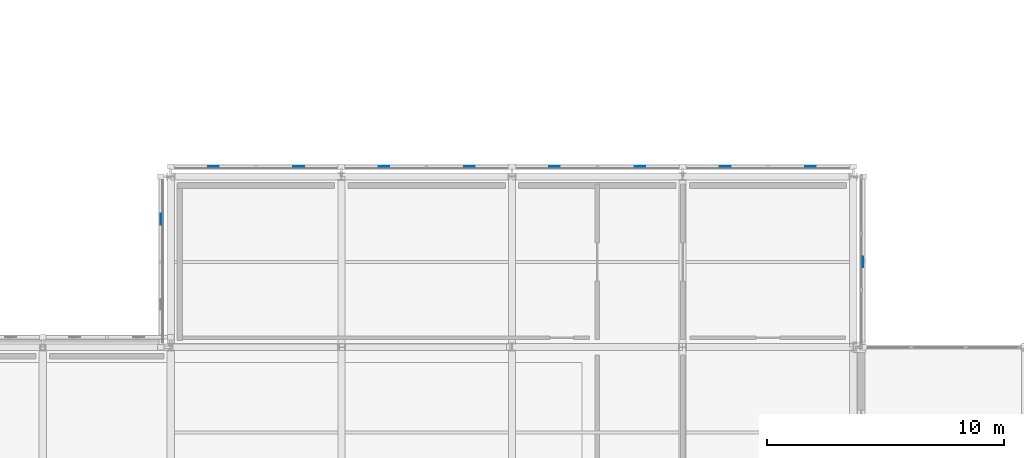
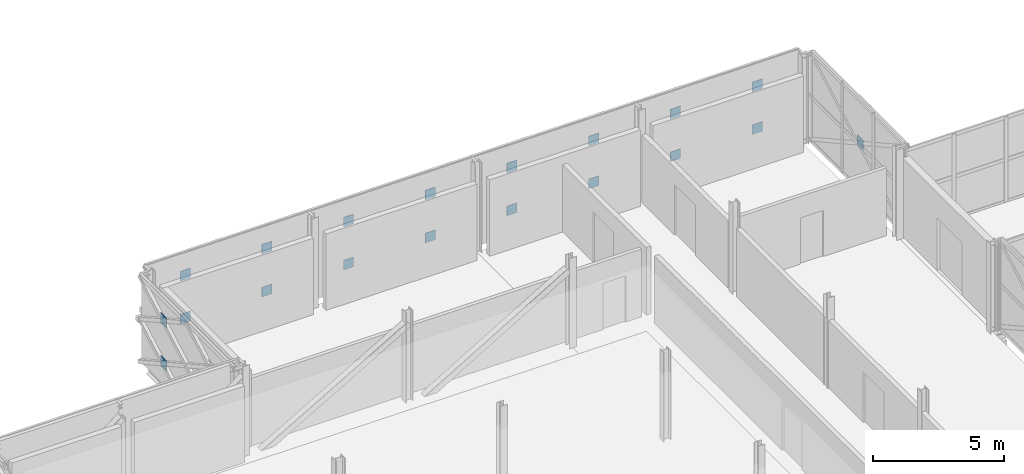
# One storey, part 92 of 126: 19 plates.
"""IFC4 building model written with IfcOpenShell, lengths in metres."""

from ifc_helpers import new_model, si_unit, direction, frame, origin, origin_2d, place, context, subcontext, project, spatial, rectangle, extrude, material, layer, layer_set, type_object, element, save


model = new_model("IFC4")

# Units and contexts
model_context = context("Model", 3, precision=1e-05, world=origin(), true_north=direction((0.0, 1.0)))
body_context = subcontext(model_context, "Body", "Model", "MODEL_VIEW")
ifc_project = project(units=[si_unit("LENGTHUNIT", "METRE"), si_unit("AREAUNIT", "SQUARE_METRE"), si_unit("VOLUMEUNIT", "CUBIC_METRE"), si_unit("PLANEANGLEUNIT", "RADIAN"), si_unit("MASSUNIT", "GRAM", prefix="KILO")], contexts=[model_context])

# Site, building, storey
site_placement = place(None, origin())
site = spatial("IfcSite", under=ifc_project, at=site_placement, CompositionType="ELEMENT")
building_placement = place(site_placement, origin())
building = spatial("IfcBuilding", under=site, at=building_placement, Name="Zlatovets Crest Museum", CompositionType="ELEMENT")
storey_placement = place(building_placement, frame((0.0, 0.0, 8.699951171875)))
storey = spatial("IfcBuildingStorey", under=building, at=storey_placement, Name="L02", CompositionType="ELEMENT", Elevation=8.699951171875)

# Plates
ifc_material = material(Name="Structural steel S355J2", Category="steel")
ifc_layer = layer(ifc_material, 0.02001953125)
ifc_layer_set = layer_set([ifc_layer], Name="Structural steel S355J2")
plate_type = type_object("IfcPlateType", Name="Gusset_GP-04", PredefinedType="USERDEFINED", material=ifc_layer_set)
plate_placement = place(storey_placement, frame((36.419921875, 97.199951171875, 1.875), z_axis=(0.0, 0.0, 1.0), x_axis=(1.0, 0.0, 0.0)))
element("IfcPlate", 1, at=plate_placement, inside=storey, type_object=plate_type, Name="X-Brace Crossing Node Gusset Plate GP-04", ObjectType="GUSSET", PredefinedType="USERDEFINED", context=body_context, shape_type="SweptSolid", body=[
    extrude(rectangle(XDim=0.02001953125, YDim=0.449951171875, at=origin_2d()), origin(), (0.0, 0.0, 1.0), 0.449951171875),
])
for number, where, z_axis, x_axis, name in (
    (2, (12.60009765625, 101.219970703125, 0.875), (0.0, 0.0, 1.0), (1.0, 0.0, 0.0), "X-Brace Crossing Node Gusset Plate GP-04"),
    (3, (9.0, 101.219970703125, 0.875), (0.0, 0.0, 1.0), (1.0, 0.0, 0.0), "X-Brace Crossing Node Gusset Plate GP-04"),
    (4, (12.60009765625, 101.219970703125, 2.875), (0.0, 0.0, 1.0), (1.0, 0.0, 0.0), "X-Brace Crossing Node Gusset Plate GP-04"),
    (5, (9.0, 101.219970703125, 2.875), (0.0, 0.0, 1.0), (1.0, 0.0, 0.0), "X-Brace Crossing Node Gusset Plate GP-04"),
    (6, (19.800048828125, 101.219970703125, 0.875), (0.0, 0.0, 1.0), (1.0, 0.0, 0.0), "X-Brace Crossing Node Gusset Plate GP-04"),
    (7, (16.199951171875, 101.219970703125, 0.875), (0.0, 0.0, 1.0), (1.0, 0.0, 0.0), "X-Brace Crossing Node Gusset Plate GP-04"),
    (8, (19.800048828125, 101.219970703125, 2.875), (0.0, 0.0, 1.0), (1.0, 0.0, 0.0), "X-Brace Crossing Node Gusset Plate GP-04"),
    (9, (16.199951171875, 101.219970703125, 2.875), (0.0, 0.0, 1.0), (1.0, 0.0, 0.0), "X-Brace Crossing Node Gusset Plate GP-04"),
    (10, (27.0, 101.219970703125, 0.875), (0.0, 0.0, 1.0), (1.0, 0.0, 0.0), "X-Brace Crossing Node Gusset Plate GP-04"),
    (11, (23.39990234375, 101.219970703125, 0.875), (0.0, 0.0, 1.0), (1.0, 0.0, 0.0), "X-Brace Crossing Node Gusset Plate GP-04"),
    (12, (27.0, 101.219970703125, 2.875), (0.0, 0.0, 1.0), (1.0, 0.0, 0.0), "X-Brace Crossing Node Gusset Plate GP-04"),
    (13, (23.39990234375, 101.219970703125, 2.875), (0.0, 0.0, 1.0), (1.0, 0.0, 0.0), "X-Brace Crossing Node Gusset Plate GP-04"),
    (14, (34.199951171875, 101.219970703125, 0.875), (0.0, 0.0, 1.0), (1.0, 0.0, 0.0), "X-Brace Crossing Node Gusset Plate GP-04"),
    (15, (30.60009765625, 101.219970703125, 0.875), (0.0, 0.0, 1.0), (1.0, 0.0, 0.0), "X-Brace Crossing Node Gusset Plate GP-04"),
    (16, (34.199951171875, 101.219970703125, 2.875), (0.0, 0.0, 1.0), (1.0, 0.0, 0.0), "X-Brace Crossing Node Gusset Plate GP-04"),
    (17, (30.60009765625, 101.219970703125, 2.875), (0.0, 0.0, 1.0), (1.0, 0.0, 0.0), "X-Brace Crossing Node Gusset Plate GP-04"),
):
    element("IfcPlate", number, at=place(storey_placement, frame(where, z_axis=z_axis, x_axis=x_axis)), inside=storey, type_object=plate_type, Name=name, ObjectType="GUSSET", PredefinedType="USERDEFINED", context=body_context, shape_type="SweptSolid", body=[
        extrude(rectangle(XDim=0.449951171875, YDim=0.02001953125, at=origin_2d()), origin(), (0.0, 0.0, 1.0), 0.449951171875),
    ])
for number, where, z_axis, x_axis, name in (
    (18, (6.780029296875, 99.0, 0.875), (0.0, 0.0, 1.0), (1.0, 0.0, 0.0), "X-Brace Crossing Node Gusset Plate GP-04"),
    (19, (6.780029296875, 99.0, 2.875), (0.0, 0.0, 1.0), (1.0, 0.0, 0.0), "X-Brace Crossing Node Gusset Plate GP-04"),
):
    element("IfcPlate", number, at=place(storey_placement, frame(where, z_axis=z_axis, x_axis=x_axis)), inside=storey, type_object=plate_type, Name=name, ObjectType="GUSSET", PredefinedType="USERDEFINED", context=body_context, shape_type="SweptSolid", body=[
        extrude(rectangle(XDim=0.02001953125, YDim=0.449951171875, at=origin_2d()), origin(), (0.0, 0.0, 1.0), 0.449951171875),
    ])

save(model, "model.ifc")
